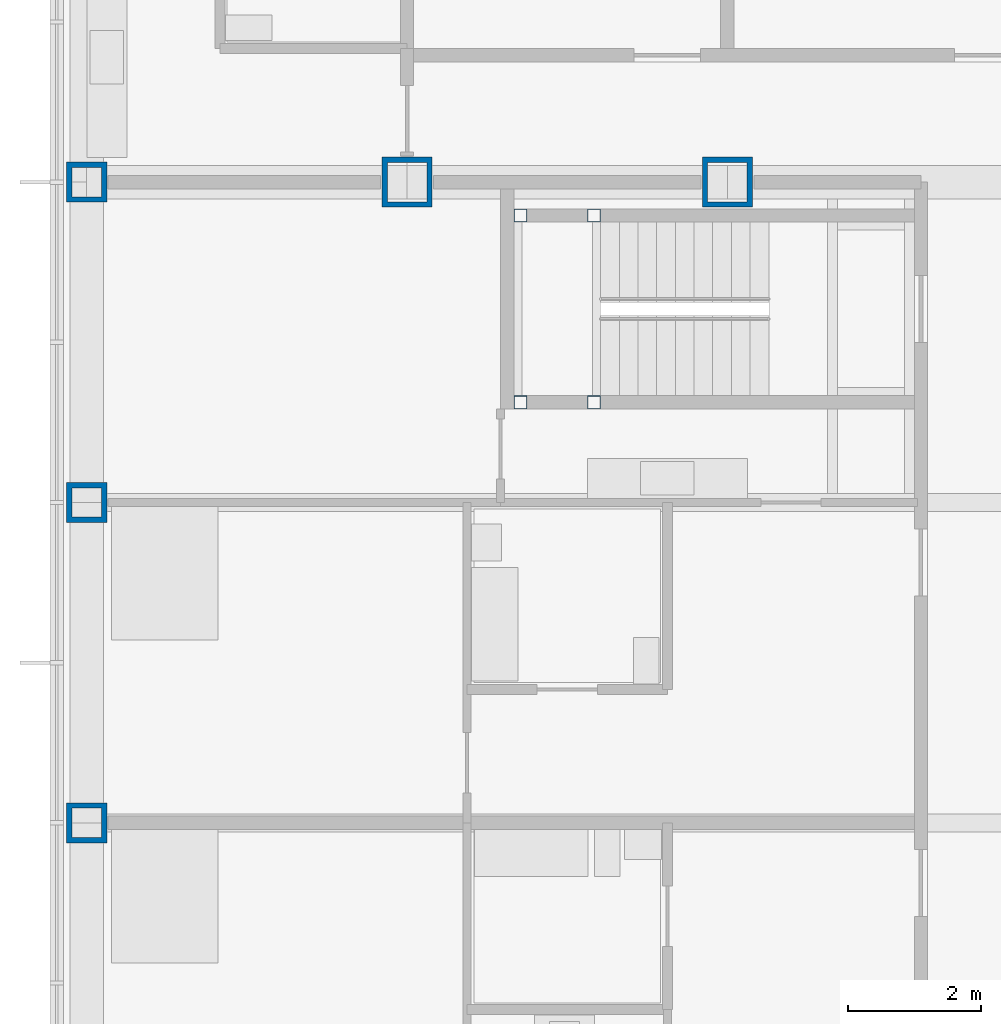
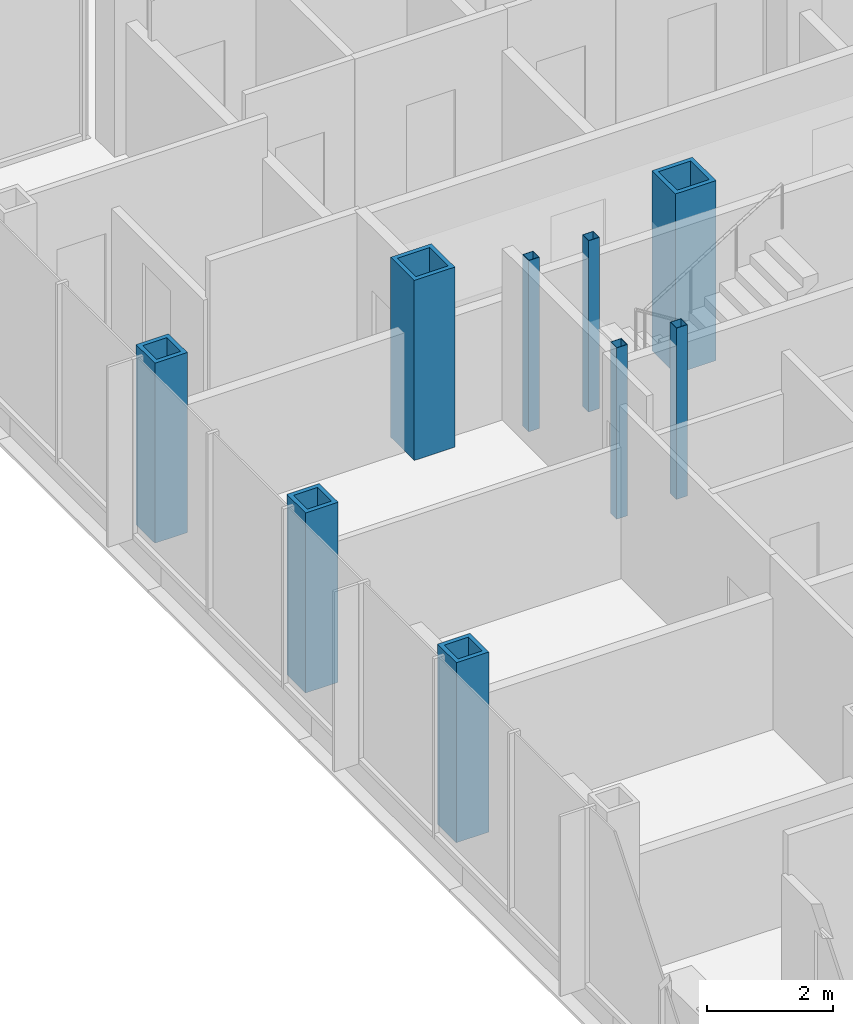
# One storey, part 3 of 22: 9 columns.
"""IFC4 building model written with IfcOpenShell, lengths in metres."""

from ifc_helpers import new_model, si_unit, direction, frame, origin, origin_2d, place, context, subcontext, project, spatial, hollow_rectangle, extrude, material, material_profile, profile_set, type_object, element, save


model = new_model("IFC4")

# Units and contexts
model_context = context("Model", 3, precision=1e-05, world=origin(), true_north=direction((0.0, 1.0)))
body_context = subcontext(model_context, "Body", "Model", "MODEL_VIEW")
ifc_project = project(units=[si_unit("LENGTHUNIT", "METRE"), si_unit("AREAUNIT", "SQUARE_METRE"), si_unit("VOLUMEUNIT", "CUBIC_METRE"), si_unit("PLANEANGLEUNIT", "RADIAN"), si_unit("MASSUNIT", "GRAM", prefix="KILO")], contexts=[model_context])

# Site, building, storey
site_placement = place(None, origin())
site = spatial("IfcSite", under=ifc_project, at=site_placement, CompositionType="ELEMENT")
building_placement = place(site_placement, origin())
building = spatial("IfcBuilding", under=site, at=building_placement, Name="Kvirike Care Tower", CompositionType="ELEMENT")
storey_placement = place(building_placement, frame((0.0, 0.0, 69.0)))
storey = spatial("IfcBuildingStorey", under=building, at=storey_placement, Name="L18", CompositionType="ELEMENT", Elevation=69.0)

# Columns
ifc_material_1 = material(Name="Steel S460", Category="steel")
ifc_material_profile_1 = material_profile(ifc_material_1, hollow_rectangle(XDim=0.60009765625, YDim=0.60009765625, WallThickness=0.080078125, at=origin_2d()), Name="BX 600x600x80")
ifc_profile_set_1 = profile_set([ifc_material_profile_1], Name="Steel S460")
column_type_1 = type_object("IfcColumnType", Name="COLUMN BX 600x600x80", PredefinedType="COLUMN", material=ifc_profile_set_1)
for number, where, z_axis, x_axis, name in (
    (1, (0.0, 33.60009765625, 0.0), (0.0, 0.0, 1.0), (1.0, 0.0, 0.0), "Column H3 L18"),
    (2, (0.0, 38.39990234375, 0.0), (0.0, 0.0, 1.0), (1.0, 0.0, 0.0), "Column J3 L18"),
    (3, (0.0, 43.199951171875, 0.0), (0.0, 0.0, 1.0), (0.0, 1.0, 0.0), "Column K3 L18"),
):
    element("IfcColumn", number, at=place(storey_placement, frame(where, z_axis=z_axis, x_axis=x_axis)), inside=storey, type_object=column_type_1, Name=name, PredefinedType="COLUMN", context=body_context, shape_type="SweptSolid", body=[
        extrude(hollow_rectangle(XDim=0.60009765625, YDim=0.60009765625, WallThickness=0.080078125, at=origin_2d()), origin(), (0.0, 0.0, 1.0), 3.5),
    ])
ifc_material_2 = material(Name="Steel S460", Category="steel")
ifc_material_profile_2 = material_profile(ifc_material_2, hollow_rectangle(XDim=0.75, YDim=0.75, WallThickness=0.080078125, at=origin_2d()), Name="BX 750x750x80")
ifc_profile_set_2 = profile_set([ifc_material_profile_2], Name="Steel S460")
column_type_2 = type_object("IfcColumnType", Name="COLUMN BX 750x750x80", PredefinedType="COLUMN", material=ifc_profile_set_2)
for number, where, z_axis, x_axis, name in (
    (4, (4.800048828125, 43.199951171875, 0.0), (0.0, 0.0, 1.0), (0.0, 1.0, 0.0), "Column K4 L18"),
    (5, (9.60009765625, 43.199951171875, 0.0), (0.0, 0.0, 1.0), (0.0, 1.0, 0.0), "Column K5 L18"),
):
    element("IfcColumn", number, at=place(storey_placement, frame(where, z_axis=z_axis, x_axis=x_axis)), inside=storey, type_object=column_type_2, Name=name, PredefinedType="COLUMN", context=body_context, shape_type="SweptSolid", body=[
        extrude(hollow_rectangle(XDim=0.75, YDim=0.75, WallThickness=0.080078125, at=origin_2d()), origin(), (0.0, 0.0, 1.0), 3.5),
    ])
ifc_material_3 = material(Name="Steel S460", Category="steel")
ifc_material_profile_3 = material_profile(ifc_material_3, hollow_rectangle(XDim=0.199951171875, YDim=0.199951171875, WallThickness=0.008056640625, at=origin_2d()), Name="SHS 200x200x8")
ifc_profile_set_3 = profile_set([ifc_material_profile_3], Name="Steel S460")
column_type_3 = type_object("IfcColumnType", Name="STAIR POST SHS 200x200x8", PredefinedType="COLUMN", material=ifc_profile_set_3)
for number, where, z_axis, x_axis, name in (
    (6, (6.5, 42.699951171875, 0.0), (0.0, 0.0, 1.0), (1.0, 0.0, 0.0), "Stair 1 post 1 L18"),
    (7, (6.5, 39.89990234375, 0.0), (0.0, 0.0, 1.0), (1.0, 0.0, 0.0), "Stair 1 post 2 L18"),
    (8, (7.60009765625, 42.699951171875, 0.0), (0.0, 0.0, 1.0), (1.0, 0.0, 0.0), "Stair 1 post 3 L18"),
    (9, (7.60009765625, 39.89990234375, 0.0), (0.0, 0.0, 1.0), (1.0, 0.0, 0.0), "Stair 1 post 4 L18"),
):
    element("IfcColumn", number, at=place(storey_placement, frame(where, z_axis=z_axis, x_axis=x_axis)), inside=storey, type_object=column_type_3, Name=name, PredefinedType="COLUMN", context=body_context, shape_type="SweptSolid", body=[
        extrude(hollow_rectangle(XDim=0.199951171875, YDim=0.199951171875, WallThickness=0.008056640625, at=origin_2d()), origin(), (0.0, 0.0, 1.0), 3.330078125),
    ])

save(model, "model.ifc")
